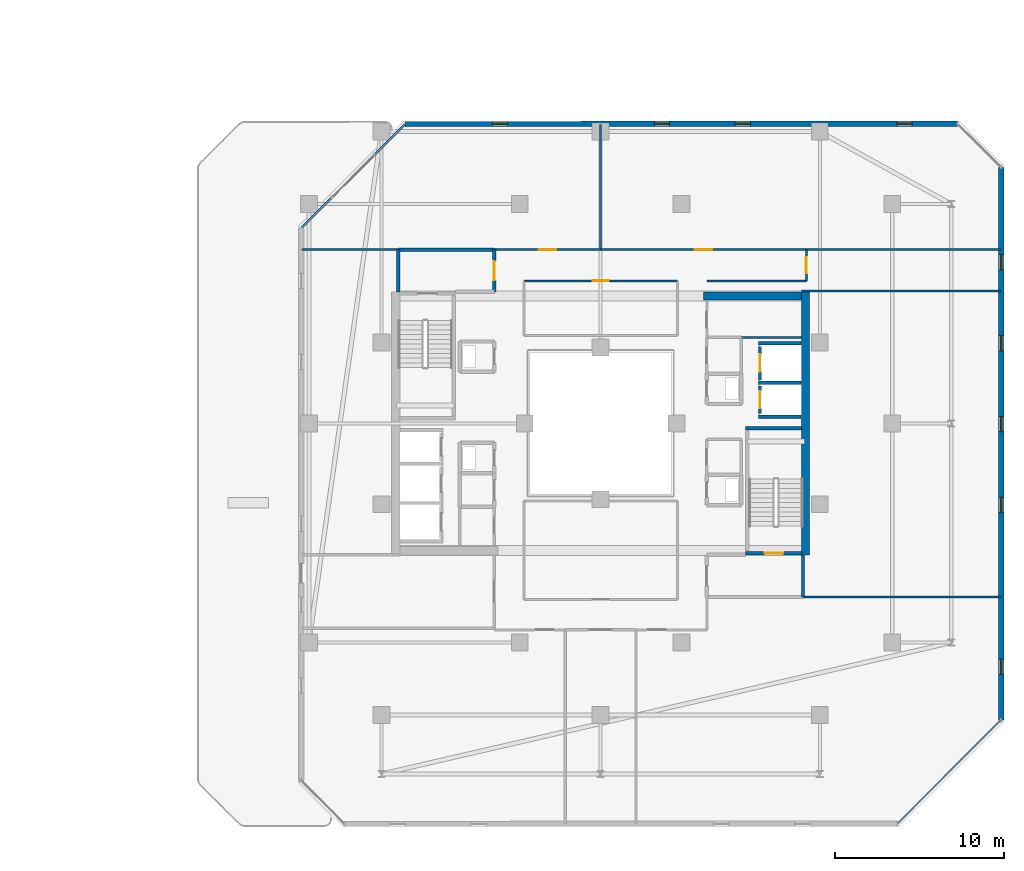
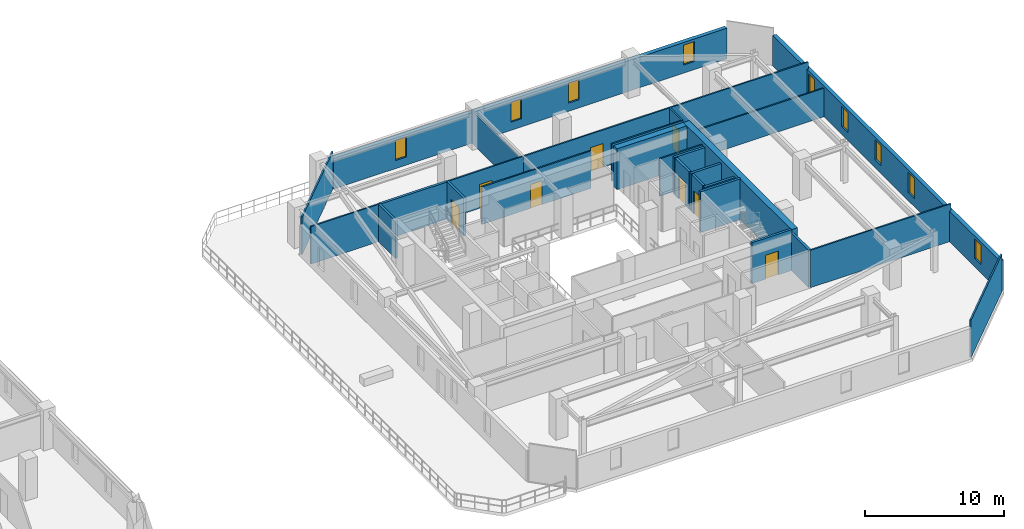
# One storey, part 23 of 29: 28 walls, 9 windows, 8 doors, 17 openings.
"""IFC4 building model written with IfcOpenShell, lengths in metres."""

from ifc_helpers import new_model, si_unit, direction, frame, frame_2d, origin, place, context, subcontext, project, spatial, rectangle, extrude, material, layer, layer_set, type_object, element, fill, save


model = new_model("IFC4")

# Units and contexts
model_context = context("Model", 3, precision=1e-05, world=origin(), true_north=direction((0.0, 1.0)))
body_context = subcontext(model_context, "Body", "Model", "MODEL_VIEW")
ifc_project = project(units=[si_unit("LENGTHUNIT", "METRE"), si_unit("AREAUNIT", "SQUARE_METRE"), si_unit("VOLUMEUNIT", "CUBIC_METRE"), si_unit("PLANEANGLEUNIT", "RADIAN"), si_unit("MASSUNIT", "GRAM", prefix="KILO")], contexts=[model_context])

# Site, building, storey
site_placement = place(None, origin())
site = spatial("IfcSite", under=ifc_project, at=site_placement, CompositionType="ELEMENT")
building_placement = place(site_placement, origin())
building = spatial("IfcBuilding", under=site, at=building_placement, Name="Thornwick Lancets Civic Towers", CompositionType="ELEMENT")
storey_placement = place(building_placement, frame((0.0, 0.0, 229.5)))
storey = spatial("IfcBuildingStorey", under=building, at=storey_placement, Name="L61", CompositionType="ELEMENT", Elevation=229.5)

# Wall, opening, door
ifc_material_1 = material(Name="Concrete blockwork C40/50", Category="masonry")
ifc_layer_1 = layer(ifc_material_1, 0.199951171875, Name="Concrete blockwork C40/50")
ifc_layer_set_1 = layer_set([ifc_layer_1], Name="Concrete blockwork C40/50")
wall_type_1 = type_object("IfcWallType", Name="WALL_COMP_200", PredefinedType="STANDARD", material=ifc_layer_set_1)
wall_1_placement = place(storey_placement, frame((97.949951171875, 29.219970703125, 0.0), z_axis=(0.0, 0.0, 1.0), x_axis=(0.0, -1.0, 0.0)))
wall_1 = element("IfcWall", 1, at=wall_1_placement, inside=storey, type_object=wall_type_1, Name="L61 Hoistway Front Wall FL-B1", PredefinedType="STANDARD", context=body_context, shape_type="SweptSolid", body=[
    extrude(rectangle(XDim=1.639892578125, YDim=0.199951171875, at=frame_2d((0.81982421875, 0.0))), origin(), (0.0, 0.0, 1.0), 3.300048828125),
])
opening_1_placement = place(wall_1_placement, frame((0.31005859375, 0.0, 0.0)))
opening_1 = element("IfcOpeningElement", 2, at=opening_1_placement, cuts=wall_1, Name="Opening LD-FL-B1", PredefinedType="OPENING", context=body_context, shape_type="SweptSolid", body=[
    extrude(rectangle(XDim=1.02001953125, YDim=2.06005859375, at=frame_2d((0.510009765625, 1.030029296875))), frame((0.0, 0.10986328125, 0.0), z_axis=(0.0, -1.0, 0.0), x_axis=(1.0, 0.0, 0.0)), (0.0, 0.0, 1.0), 0.219970703125),
])
ifc_material_2 = material(Name="Brushed bronze stainless steel", Category="steel")
door_type_1 = type_object("IfcDoorType", Name="DOOR_LIFT_SLIDE", OperationType="SLIDING_TO_LEFT", PredefinedType="DOOR", material=ifc_material_2)
door_1_placement = place(opening_1_placement, origin())
door_1 = element("IfcDoor", 3, at=door_1_placement, inside=storey, type_object=door_type_1, Name="L61 Sliding Lift Landing Door LD-FL-B1", OperationType="SLIDING_TO_LEFT", OverallHeight=2.06005859375, OverallWidth=1.02001953125, PredefinedType="DOOR", context=body_context, shape_type="SweptSolid", body=[
    extrude(rectangle(XDim=1.02001953125, YDim=2.06005859375, at=frame_2d((0.510009765625, 1.030029296875))), frame((0.0, 0.02490234375, 0.0), z_axis=(0.0, -1.0, 0.0), x_axis=(1.0, 0.0, 0.0)), (0.0, 0.0, 1.0), 0.050048828125),
])
fill(opening_1, door_1)

wall_2_placement = place(storey_placement, frame((97.949951171875, 31.570068359375, 0.0), z_axis=(0.0, 0.0, 1.0), x_axis=(0.0, -1.0, 0.0)))
wall_2 = element("IfcWall", 4, at=wall_2_placement, inside=storey, type_object=wall_type_1, Name="L61 Hoistway Front Wall PL-BH1", PredefinedType="STANDARD", context=body_context, shape_type="SweptSolid", body=[
    extrude(rectangle(XDim=1.989990234375, YDim=0.199951171875, at=frame_2d((0.9951171875, 0.0))), origin(), (0.0, 0.0, 1.0), 3.300048828125),
])
opening_2_placement = place(wall_2_placement, frame((0.485107421875, 0.0, 0.0)))
opening_2 = element("IfcOpeningElement", 5, at=opening_2_placement, cuts=wall_2, Name="Opening LD-PL-BH1", PredefinedType="OPENING", context=body_context, shape_type="SweptSolid", body=[
    extrude(rectangle(XDim=1.02001953125, YDim=2.06005859375, at=frame_2d((0.510009765625, 1.030029296875))), frame((0.0, 0.10986328125, 0.0), z_axis=(0.0, -1.0, 0.0), x_axis=(1.0, 0.0, 0.0)), (0.0, 0.0, 1.0), 0.219970703125),
])
door_2_placement = place(opening_2_placement, origin())
door_2 = element("IfcDoor", 6, at=door_2_placement, inside=storey, type_object=door_type_1, Name="L61 Sliding Lift Landing Door LD-PL-BH1", OperationType="SLIDING_TO_LEFT", OverallHeight=2.06005859375, OverallWidth=1.02001953125, PredefinedType="DOOR", context=body_context, shape_type="SweptSolid", body=[
    extrude(rectangle(XDim=1.02001953125, YDim=2.06005859375, at=frame_2d((0.510009765625, 1.030029296875))), frame((0.0, 0.02490234375, 0.0), z_axis=(0.0, -1.0, 0.0), x_axis=(1.0, 0.0, 0.0)), (0.0, 0.0, 1.0), 0.050048828125),
])
fill(opening_2, door_2)

# Walls
for number, where, z_axis, x_axis, name in (
    (7, (97.85205078125, 29.39990234375, 0.0), (0.0, 0.0, 1.0), (1.0, 0.0, 0.0), "L61 Hoistway Shaft Wall FL-B1 N"),
    (8, (97.85205078125, 27.39990234375, 0.0), (0.0, 0.0, 1.0), (1.0, 0.0, 0.0), "L61 Hoistway Shaft Wall FL-B1 S"),
    (9, (97.85205078125, 31.75, 0.0), (0.0, 0.0, 1.0), (1.0, 0.0, 0.0), "L61 Hoistway Shaft Wall PL-BH1 N"),
):
    element("IfcWall", number, at=place(storey_placement, frame(where, z_axis=z_axis, x_axis=x_axis)), inside=storey, type_object=wall_type_1, Name=name, PredefinedType="STANDARD", context=body_context, shape_type="SweptSolid", body=[
        extrude(rectangle(XDim=2.535888671875, YDim=0.199951171875, at=frame_2d((1.26806640625, 0.0))), origin(), (0.0, 0.0, 1.0), 3.300048828125),
    ])
wall_3_placement = place(storey_placement, frame((100.5, 16.699951171875, 0.0), z_axis=(0.0, 0.0, 1.0), x_axis=(0.0, 1.0, 0.0)))
element("IfcWall", 10, at=wall_3_placement, inside=storey, type_object=wall_type_1, Name="L61 Partition L61-B-FFLOB1 E2", PredefinedType="STANDARD", context=body_context, shape_type="SweptSolid", body=[
    extrude(rectangle(XDim=2.5, YDim=0.199951171875, at=frame_2d((1.25, 0.0))), origin(), (0.0, 0.0, 1.0), 3.300048828125),
])

# Wall, opening, door
wall_4_placement = place(storey_placement, frame((82.199951171875, 34.800048828125, 0.0), z_axis=(0.0, 0.0, 1.0), x_axis=(0.0, 1.0, 0.0)))
wall_4 = element("IfcWall", 11, at=wall_4_placement, inside=storey, type_object=wall_type_1, Name="L61 Partition L61-B-FFLOB2 E2", PredefinedType="STANDARD", context=body_context, shape_type="SweptSolid", body=[
    extrude(rectangle(XDim=2.5, YDim=0.199951171875, at=frame_2d((1.25, 0.0))), origin(), (0.0, 0.0, 1.0), 3.300048828125),
])
opening_3_placement = place(wall_4_placement, frame((0.675048828125, 0.0, 0.0)))
opening_3 = element("IfcOpeningElement", 12, at=opening_3_placement, cuts=wall_4, Name="Opening D-L61-2749", PredefinedType="OPENING", context=body_context, shape_type="SweptSolid", body=[
    extrude(rectangle(XDim=1.14990234375, YDim=2.10009765625, at=frame_2d((0.574951171875, 1.050048828125))), frame((0.0, 0.10986328125, 0.0), z_axis=(0.0, -1.0, 0.0), x_axis=(1.0, 0.0, 0.0)), (0.0, 0.0, 1.0), 0.219970703125),
])
ifc_material_3 = material(Name="Glazed fire-resisting steel", Category="steel")
door_type_2 = type_object("IfcDoorType", Name="DOOR_LOBBY_FD60", OperationType="NOTDEFINED", PredefinedType="DOOR", material=ifc_material_3)
door_3_placement = place(opening_3_placement, origin())
door_3 = element("IfcDoor", 13, at=door_3_placement, inside=storey, type_object=door_type_2, Name="L61 West Firefighting Lobby 2 Door", OperationType="SINGLE_SWING_RIGHT", OverallHeight=2.10009765625, OverallWidth=1.14990234375, PredefinedType="DOOR", context=body_context, shape_type="SweptSolid", body=[
    extrude(rectangle(XDim=1.14990234375, YDim=2.10009765625, at=frame_2d((0.574951171875, 1.050048828125))), frame((0.0, 0.02490234375, 0.0), z_axis=(0.0, -1.0, 0.0), x_axis=(1.0, 0.0, 0.0)), (0.0, 0.0, 1.0), 0.050048828125),
])
fill(opening_3, door_3)

# Walls
wall_5_placement = place(storey_placement, frame((82.199951171875, 37.300048828125, 0.0), z_axis=(0.0, 0.0, 1.0), x_axis=(-1.0, 0.0, 0.0)))
element("IfcWall", 14, at=wall_5_placement, inside=storey, type_object=wall_type_1, Name="L61 Partition L61-B-FFLOB2 E3", PredefinedType="STANDARD", context=body_context, shape_type="SweptSolid", body=[
    extrude(rectangle(XDim=5.699951171875, YDim=0.199951171875, at=frame_2d((2.85009765625, 0.0))), origin(), (0.0, 0.0, 1.0), 3.300048828125),
])
wall_6_placement = place(storey_placement, frame((76.5, 37.300048828125, 0.0), z_axis=(0.0, 0.0, 1.0), x_axis=(0.0, -1.0, 0.0)))
element("IfcWall", 15, at=wall_6_placement, inside=storey, type_object=wall_type_1, Name="L61 Partition L61-B-FFLOB2 E4", PredefinedType="STANDARD", context=body_context, shape_type="SweptSolid", body=[
    extrude(rectangle(XDim=2.5, YDim=0.199951171875, at=frame_2d((1.25, 0.0))), origin(), (0.0, 0.0, 1.0), 3.300048828125),
])
ifc_material_4 = material(Name="Concrete C50/60", Category="concrete")
ifc_layer_2 = layer(ifc_material_4, 0.5, Name="Concrete C50/60")
ifc_layer_set_2 = layer_set([ifc_layer_2], Name="Concrete C50/60")
wall_type_2 = type_object("IfcWallType", Name="WALL_CORE_500", PredefinedType="SHEAR", material=ifc_layer_set_2)
wall_7_placement = place(storey_placement, frame((100.64990234375, 19.199951171875, 0.0), z_axis=(0.0, 0.0, 1.0), x_axis=(0.0, 1.0, 0.0)))
element("IfcWall", 16, at=wall_7_placement, inside=storey, type_object=wall_type_2, Name="L61 Split Core B1 Shear Wall E", PredefinedType="SHEAR", context=body_context, shape_type="SweptSolid", body=[
    extrude(rectangle(XDim=15.60009765625, YDim=0.5, at=frame_2d((7.800048828125, 0.0))), origin(), (0.0, 0.0, 1.0), 3.60009765625),
])
wall_8_placement = place(storey_placement, frame((94.60009765625, 34.550048828125, 0.0), z_axis=(0.0, 0.0, 1.0), x_axis=(1.0, 0.0, 0.0)))
element("IfcWall", 17, at=wall_8_placement, inside=storey, type_object=wall_type_2, Name="L61 Split Core B1 Shear Wall N", PredefinedType="SHEAR", context=body_context, shape_type="SweptSolid", body=[
    extrude(rectangle(XDim=5.7998046875, YDim=0.5, at=frame_2d((2.89990234375, 0.0))), origin(), (0.0, 0.0, 1.0), 3.60009765625),
])

# Wall, openings, windows
ifc_material_5 = material(Name="Insulated buff terracotta rainscreen on concrete C40/50", Category="masonry")
ifc_layer_3 = layer(ifc_material_5, 0.320068359375, Name="Insulated buff terracotta rainscreen on concrete C40/50")
ifc_layer_set_3 = layer_set([ifc_layer_3], Name="Insulated buff terracotta rainscreen on concrete C40/50")
wall_type_3 = type_object("IfcWallType", Name="WALL_EXT_TERRA_320", PredefinedType="STANDARD", material=ifc_layer_set_3)
wall_9_placement = place(storey_placement, frame((112.252685546875, 9.403564453125, 0.0), z_axis=(0.0, 0.0, 1.0), x_axis=(0.000364968916, 0.999999933399, 0.0)))
wall_9 = element("IfcWall", 18, at=wall_9_placement, inside=storey, type_object=wall_type_3, Name="L61 Tower B Terracotta Facade Wall E2", PredefinedType="STANDARD", context=body_context, shape_type="SweptSolid", body=[
    extrude(rectangle(XDim=32.77783203125, YDim=0.320068359375, at=frame_2d((16.388916015625, 0.0))), origin(), (0.0, 0.0, 1.0), 2.699951171875),
])
opening_4_placement = place(wall_9_placement, frame((2.699951171875, 0.0, 0.719970703125)))
opening_4 = element("IfcOpeningElement", 19, at=opening_4_placement, cuts=wall_9, Name="Opening WL-01", PredefinedType="OPENING", context=body_context, shape_type="SweptSolid", body=[
    extrude(rectangle(XDim=0.89990234375, YDim=1.75, at=frame_2d((0.449951171875, 0.875))), frame((0.0, 0.169921875, 0.0), z_axis=(0.0, -1.0, 0.0), x_axis=(1.0, 0.0, 0.0)), (0.0, 0.0, 1.0), 0.340087890625),
])
opening_5_placement = place(wall_9_placement, frame((12.300048828125, 0.0, 0.719970703125)))
opening_5 = element("IfcOpeningElement", 20, at=opening_5_placement, cuts=wall_9, Name="Opening WL-01", PredefinedType="OPENING", context=body_context, shape_type="SweptSolid", body=[
    extrude(rectangle(XDim=0.89990234375, YDim=1.75, at=frame_2d((0.449951171875, 0.875))), frame((0.0, 0.169921875, 0.0), z_axis=(0.0, -1.0, 0.0), x_axis=(1.0, 0.0, 0.0)), (0.0, 0.0, 1.0), 0.340087890625),
])
opening_6_placement = place(wall_9_placement, frame((17.10009765625, 0.0, 0.719970703125)))
opening_6 = element("IfcOpeningElement", 21, at=opening_6_placement, cuts=wall_9, Name="Opening WL-01", PredefinedType="OPENING", context=body_context, shape_type="SweptSolid", body=[
    extrude(rectangle(XDim=0.89990234375, YDim=1.75, at=frame_2d((0.449951171875, 0.875))), frame((0.0, 0.169921875, 0.0), z_axis=(0.0, -1.0, 0.0), x_axis=(1.0, 0.0, 0.0)), (0.0, 0.0, 1.0), 0.340087890625),
])
opening_7_placement = place(wall_9_placement, frame((21.89990234375, 0.0, 0.719970703125)))
opening_7 = element("IfcOpeningElement", 22, at=opening_7_placement, cuts=wall_9, Name="Opening WL-01", PredefinedType="OPENING", context=body_context, shape_type="SweptSolid", body=[
    extrude(rectangle(XDim=0.89990234375, YDim=1.75, at=frame_2d((0.449951171875, 0.875))), frame((0.0, 0.169921875, 0.0), z_axis=(0.0, -1.0, 0.0), x_axis=(1.0, 0.0, 0.0)), (0.0, 0.0, 1.0), 0.340087890625),
])
opening_8_placement = place(wall_9_placement, frame((26.699951171875, 0.0, 0.719970703125)))
opening_8 = element("IfcOpeningElement", 23, at=opening_8_placement, cuts=wall_9, Name="Opening WL-01", PredefinedType="OPENING", context=body_context, shape_type="SweptSolid", body=[
    extrude(rectangle(XDim=0.89990234375, YDim=1.75, at=frame_2d((0.449951171875, 0.875))), frame((0.0, 0.169921875, 0.0), z_axis=(0.0, -1.0, 0.0), x_axis=(1.0, 0.0, 0.0)), (0.0, 0.0, 1.0), 0.340087890625),
])
ifc_material_6 = material(Name="Clear low-e double glazing in bronze frame", Category="glass")
window_type = type_object("IfcWindowType", Name="WIN_LANCET_900", PartitioningType="SINGLE_PANEL", PredefinedType="WINDOW", material=ifc_material_6)
window_1_placement = place(opening_4_placement, origin())
window_1 = element("IfcWindow", 24, at=window_1_placement, inside=storey, type_object=window_type, Name="L61 Tower B Staggered Lancet Window E2-1", OverallHeight=1.75, OverallWidth=0.89990234375, PartitioningType="SINGLE_PANEL", PredefinedType="WINDOW", context=body_context, shape_type="SweptSolid", body=[
    extrude(rectangle(XDim=0.89990234375, YDim=1.75, at=frame_2d((0.449951171875, 0.875))), frame((0.0, 0.030029296875, 0.0), z_axis=(0.0, -1.0, 0.0), x_axis=(1.0, 0.0, 0.0)), (0.0, 0.0, 1.0), 0.06005859375),
])
fill(opening_4, window_1)
window_2_placement = place(opening_5_placement, origin())
window_2 = element("IfcWindow", 25, at=window_2_placement, inside=storey, type_object=window_type, Name="L61 Tower B Staggered Lancet Window E2-2", OverallHeight=1.75, OverallWidth=0.89990234375, PartitioningType="SINGLE_PANEL", PredefinedType="WINDOW", context=body_context, shape_type="SweptSolid", body=[
    extrude(rectangle(XDim=0.89990234375, YDim=1.75, at=frame_2d((0.449951171875, 0.875))), frame((0.0, 0.030029296875, 0.0), z_axis=(0.0, -1.0, 0.0), x_axis=(1.0, 0.0, 0.0)), (0.0, 0.0, 1.0), 0.06005859375),
])
fill(opening_5, window_2)
window_3_placement = place(opening_6_placement, origin())
window_3 = element("IfcWindow", 26, at=window_3_placement, inside=storey, type_object=window_type, Name="L61 Tower B Staggered Lancet Window E2-3", OverallHeight=1.75, OverallWidth=0.89990234375, PartitioningType="SINGLE_PANEL", PredefinedType="WINDOW", context=body_context, shape_type="SweptSolid", body=[
    extrude(rectangle(XDim=0.89990234375, YDim=1.75, at=frame_2d((0.449951171875, 0.875))), frame((0.0, 0.030029296875, 0.0), z_axis=(0.0, -1.0, 0.0), x_axis=(1.0, 0.0, 0.0)), (0.0, 0.0, 1.0), 0.06005859375),
])
fill(opening_6, window_3)
window_4_placement = place(opening_7_placement, origin())
window_4 = element("IfcWindow", 27, at=window_4_placement, inside=storey, type_object=window_type, Name="L61 Tower B Staggered Lancet Window E2-4", OverallHeight=1.75, OverallWidth=0.89990234375, PartitioningType="SINGLE_PANEL", PredefinedType="WINDOW", context=body_context, shape_type="SweptSolid", body=[
    extrude(rectangle(XDim=0.89990234375, YDim=1.75, at=frame_2d((0.449951171875, 0.875))), frame((0.0, 0.030029296875, 0.0), z_axis=(0.0, -1.0, 0.0), x_axis=(1.0, 0.0, 0.0)), (0.0, 0.0, 1.0), 0.06005859375),
])
fill(opening_7, window_4)
window_5_placement = place(opening_8_placement, origin())
window_5 = element("IfcWindow", 28, at=window_5_placement, inside=storey, type_object=window_type, Name="L61 Tower B Staggered Lancet Window E2-5", OverallHeight=1.75, OverallWidth=0.89990234375, PartitioningType="SINGLE_PANEL", PredefinedType="WINDOW", context=body_context, shape_type="SweptSolid", body=[
    extrude(rectangle(XDim=0.89990234375, YDim=1.75, at=frame_2d((0.449951171875, 0.875))), frame((0.0, 0.030029296875, 0.0), z_axis=(0.0, -1.0, 0.0), x_axis=(1.0, 0.0, 0.0)), (0.0, 0.0, 1.0), 0.06005859375),
])
fill(opening_8, window_5)

wall_10_placement = place(storey_placement, frame((109.681396484375, 44.7646484375, 0.0), z_axis=(0.0, 0.0, 1.0), x_axis=(-0.999999933399, -0.000364968916, 0.0)))
wall_10 = element("IfcWall", 29, at=wall_10_placement, inside=storey, type_object=wall_type_3, Name="L61 Tower B Terracotta Facade Wall E4", PredefinedType="STANDARD", context=body_context, shape_type="SweptSolid", body=[
    extrude(rectangle(XDim=32.77783203125, YDim=0.320068359375, at=frame_2d((16.388916015625, 0.0))), origin(), (0.0, 0.0, 1.0), 2.699951171875),
])
opening_9_placement = place(wall_10_placement, frame((2.699951171875, 0.0, 0.719970703125)))
opening_9 = element("IfcOpeningElement", 30, at=opening_9_placement, cuts=wall_10, Name="Opening WL-01", PredefinedType="OPENING", context=body_context, shape_type="SweptSolid", body=[
    extrude(rectangle(XDim=0.89990234375, YDim=1.75, at=frame_2d((0.449951171875, 0.875))), frame((0.0, 0.169921875, 0.0), z_axis=(0.0, -1.0, 0.0), x_axis=(1.0, 0.0, 0.0)), (0.0, 0.0, 1.0), 0.340087890625),
])
opening_10_placement = place(wall_10_placement, frame((12.300048828125, 0.0, 0.719970703125)))
opening_10 = element("IfcOpeningElement", 31, at=opening_10_placement, cuts=wall_10, Name="Opening WL-01", PredefinedType="OPENING", context=body_context, shape_type="SweptSolid", body=[
    extrude(rectangle(XDim=0.89990234375, YDim=1.75, at=frame_2d((0.449951171875, 0.875))), frame((0.0, 0.169921875, 0.0), z_axis=(0.0, -1.0, 0.0), x_axis=(1.0, 0.0, 0.0)), (0.0, 0.0, 1.0), 0.340087890625),
])
opening_11_placement = place(wall_10_placement, frame((17.10009765625, 0.0, 0.719970703125)))
opening_11 = element("IfcOpeningElement", 32, at=opening_11_placement, cuts=wall_10, Name="Opening WL-01", PredefinedType="OPENING", context=body_context, shape_type="SweptSolid", body=[
    extrude(rectangle(XDim=0.89990234375, YDim=1.75, at=frame_2d((0.449951171875, 0.875))), frame((0.0, 0.169921875, 0.0), z_axis=(0.0, -1.0, 0.0), x_axis=(1.0, 0.0, 0.0)), (0.0, 0.0, 1.0), 0.340087890625),
])
opening_12_placement = place(wall_10_placement, frame((26.699951171875, 0.0, 0.719970703125)))
opening_12 = element("IfcOpeningElement", 33, at=opening_12_placement, cuts=wall_10, Name="Opening WL-01", PredefinedType="OPENING", context=body_context, shape_type="SweptSolid", body=[
    extrude(rectangle(XDim=0.89990234375, YDim=1.75, at=frame_2d((0.449951171875, 0.875))), frame((0.0, 0.169921875, 0.0), z_axis=(0.0, -1.0, 0.0), x_axis=(1.0, 0.0, 0.0)), (0.0, 0.0, 1.0), 0.340087890625),
])
window_6_placement = place(opening_9_placement, origin())
window_6 = element("IfcWindow", 34, at=window_6_placement, inside=storey, type_object=window_type, Name="L61 Tower B Staggered Lancet Window E4-1", OverallHeight=1.75, OverallWidth=0.89990234375, PartitioningType="SINGLE_PANEL", PredefinedType="WINDOW", context=body_context, shape_type="SweptSolid", body=[
    extrude(rectangle(XDim=0.89990234375, YDim=1.75, at=frame_2d((0.449951171875, 0.875))), frame((0.0, 0.030029296875, 0.0), z_axis=(0.0, -1.0, 0.0), x_axis=(1.0, 0.0, 0.0)), (0.0, 0.0, 1.0), 0.06005859375),
])
fill(opening_9, window_6)
window_7_placement = place(opening_10_placement, origin())
window_7 = element("IfcWindow", 35, at=window_7_placement, inside=storey, type_object=window_type, Name="L61 Tower B Staggered Lancet Window E4-2", OverallHeight=1.75, OverallWidth=0.89990234375, PartitioningType="SINGLE_PANEL", PredefinedType="WINDOW", context=body_context, shape_type="SweptSolid", body=[
    extrude(rectangle(XDim=0.89990234375, YDim=1.75, at=frame_2d((0.449951171875, 0.875))), frame((0.0, 0.030029296875, 0.0), z_axis=(0.0, -1.0, 0.0), x_axis=(1.0, 0.0, 0.0)), (0.0, 0.0, 1.0), 0.06005859375),
])
fill(opening_10, window_7)
window_8_placement = place(opening_11_placement, origin())
window_8 = element("IfcWindow", 36, at=window_8_placement, inside=storey, type_object=window_type, Name="L61 Tower B Staggered Lancet Window E4-3", OverallHeight=1.75, OverallWidth=0.89990234375, PartitioningType="SINGLE_PANEL", PredefinedType="WINDOW", context=body_context, shape_type="SweptSolid", body=[
    extrude(rectangle(XDim=0.89990234375, YDim=1.75, at=frame_2d((0.449951171875, 0.875))), frame((0.0, 0.030029296875, 0.0), z_axis=(0.0, -1.0, 0.0), x_axis=(1.0, 0.0, 0.0)), (0.0, 0.0, 1.0), 0.06005859375),
])
fill(opening_11, window_8)
window_9_placement = place(opening_12_placement, origin())
window_9 = element("IfcWindow", 37, at=window_9_placement, inside=storey, type_object=window_type, Name="L61 Tower B Staggered Lancet Window E4-4", OverallHeight=1.75, OverallWidth=0.89990234375, PartitioningType="SINGLE_PANEL", PredefinedType="WINDOW", context=body_context, shape_type="SweptSolid", body=[
    extrude(rectangle(XDim=0.89990234375, YDim=1.75, at=frame_2d((0.449951171875, 0.875))), frame((0.0, 0.030029296875, 0.0), z_axis=(0.0, -1.0, 0.0), x_axis=(1.0, 0.0, 0.0)), (0.0, 0.0, 1.0), 0.06005859375),
])
fill(opening_12, window_9)

# Walls
ifc_material_7 = material(Name="Acoustic gypsum board partition")
ifc_layer_4 = layer(ifc_material_7, 0.1201171875, Name="Acoustic gypsum board partition")
ifc_layer_set_4 = layer_set([ifc_layer_4], Name="Acoustic gypsum board partition")
wall_type_4 = type_object("IfcWallType", Name="WALL_PART_120", PredefinedType="PARTITIONING", material=ifc_layer_set_4)
wall_11_placement = place(storey_placement, frame((100.39990234375, 32.10009765625, 0.0), z_axis=(0.0, 0.0, 1.0), x_axis=(-1.0, 0.0, 0.0)))
element("IfcWall", 38, at=wall_11_placement, inside=storey, type_object=wall_type_4, Name="L61 Partition L61-B-ITR E4", PredefinedType="PARTITIONING", context=body_context, shape_type="SweptSolid", body=[
    extrude(rectangle(XDim=3.5498046875, YDim=0.1201171875, at=frame_2d((1.77490234375, 0.0))), origin(), (0.0, 0.0, 1.0), 3.300048828125),
])
wall_12_placement = place(storey_placement, frame((94.800048828125, 35.449951171875, 0.0), z_axis=(0.0, 0.0, 1.0), x_axis=(1.0, 0.0, 0.0)))
element("IfcWall", 39, at=wall_12_placement, inside=storey, type_object=wall_type_4, Name="L61 Partition L61-B-RECLAIM-L E2", PredefinedType="PARTITIONING", context=body_context, shape_type="SweptSolid", body=[
    extrude(rectangle(XDim=5.89990234375, YDim=0.1201171875, at=frame_2d((2.949951171875, 0.0))), origin(), (0.0, 0.0, 1.0), 3.300048828125),
])

# Wall, opening, door
wall_13_placement = place(storey_placement, frame((100.699951171875, 35.449951171875, 0.0), z_axis=(0.0, 0.0, 1.0), x_axis=(0.0, 1.0, 0.0)))
wall_13 = element("IfcWall", 40, at=wall_13_placement, inside=storey, type_object=wall_type_4, Name="L61 Partition L61-B-RECLAIM-L E3", PredefinedType="PARTITIONING", context=body_context, shape_type="SweptSolid", body=[
    extrude(rectangle(XDim=1.85009765625, YDim=0.1201171875, at=frame_2d((0.925048828125, 0.0))), origin(), (0.0, 0.0, 1.0), 3.300048828125),
])
opening_13_placement = place(wall_13_placement, frame((0.449951171875, 0.0, 0.0)))
opening_13 = element("IfcOpeningElement", 41, at=opening_13_placement, cuts=wall_13, Name="Opening D-L61-2768", PredefinedType="OPENING", context=body_context, shape_type="SweptSolid", body=[
    extrude(rectangle(XDim=0.949951171875, YDim=2.10009765625, at=frame_2d((0.47509765625, 1.050048828125))), frame((0.0, 0.070068359375, 0.0), z_axis=(0.0, -1.0, 0.0), x_axis=(1.0, 0.0, 0.0)), (0.0, 0.0, 1.0), 0.14013671875),
])
ifc_material_8 = material(Name="European oak acoustic doorset")
door_type_3 = type_object("IfcDoorType", Name="DOOR_OFFICE_950", OperationType="NOTDEFINED", PredefinedType="DOOR", material=ifc_material_8)
door_4_placement = place(opening_13_placement, origin())
door_4 = element("IfcDoor", 42, at=door_4_placement, inside=storey, type_object=door_type_3, Name="L61 Tower B Parliamentary Drafting Library Door", OperationType="SINGLE_SWING_LEFT", OverallHeight=2.10009765625, OverallWidth=0.949951171875, PredefinedType="DOOR", context=body_context, shape_type="SweptSolid", body=[
    extrude(rectangle(XDim=0.949951171875, YDim=2.10009765625, at=frame_2d((0.47509765625, 1.050048828125))), frame((0.0, 0.02490234375, 0.0), z_axis=(0.0, -1.0, 0.0), x_axis=(1.0, 0.0, 0.0)), (0.0, 0.0, 1.0), 0.050048828125),
])
fill(opening_13, door_4)

# Walls
wall_14_placement = place(storey_placement, frame((100.699951171875, 37.300048828125, 0.0), z_axis=(0.0, 0.0, 1.0), x_axis=(1.0, 0.0, 0.0)))
element("IfcWall", 43, at=wall_14_placement, inside=storey, type_object=wall_type_4, Name="L61 Partition L61-B-RECLAIM-L E4", PredefinedType="PARTITIONING", context=body_context, shape_type="SweptSolid", body=[
    extrude(rectangle(XDim=11.52001953125, YDim=0.1201171875, at=frame_2d((5.760009765625, 0.0))), origin(), (0.0, 0.0, 1.0), 3.300048828125),
])
wall_15_placement = place(storey_placement, frame((112.219970703125, 34.85009765625, 0.0), z_axis=(0.0, 0.0, 1.0), x_axis=(-1.0, 0.0, 0.0)))
element("IfcWall", 44, at=wall_15_placement, inside=storey, type_object=wall_type_4, Name="L61 Partition L61-B-RECLAIM-L E6", PredefinedType="PARTITIONING", context=body_context, shape_type="SweptSolid", body=[
    extrude(rectangle(XDim=11.820068359375, YDim=0.1201171875, at=frame_2d((5.91015625, 0.0))), origin(), (0.0, 0.0, 1.0), 2.5048828125),
])
wall_16_placement = place(storey_placement, frame((100.5, 16.699951171875, 0.0), z_axis=(0.0, 0.0, 1.0), x_axis=(1.0, 0.0, 0.0)))
element("IfcWall", 45, at=wall_16_placement, inside=storey, type_object=wall_type_4, Name="L61 Partition L61-B-W1 E7", PredefinedType="PARTITIONING", context=body_context, shape_type="SweptSolid", body=[
    extrude(rectangle(XDim=11.719970703125, YDim=0.1201171875, at=frame_2d((5.85986328125, 0.0))), origin(), (0.0, 0.0, 1.0), 3.300048828125),
])
wall_17_placement = place(storey_placement, frame((112.219970703125, 9.37451171875, 0.0), z_axis=(0.0, 0.0, 1.0), x_axis=(-0.707106781187, -0.707106781187, 0.0)))
element("IfcWall", 46, at=wall_17_placement, inside=storey, type_object=wall_type_4, Name="L61 Partition L61-B-W1 E9", PredefinedType="PARTITIONING", context=body_context, shape_type="SweptSolid", body=[
    extrude(rectangle(XDim=8.618896484375, YDim=0.1201171875, at=frame_2d((4.3095703125, 0.0))), origin(), (0.0, 0.0, 1.0), 3.300048828125),
])

# Wall, opening, door
wall_18_placement = place(storey_placement, frame((100.699951171875, 37.300048828125, 0.0), z_axis=(0.0, 0.0, 1.0), x_axis=(-1.0, 0.0, 0.0)))
wall_18 = element("IfcWall", 47, at=wall_18_placement, inside=storey, type_object=wall_type_4, Name="L61 Partition L61-B-E1 E1", PredefinedType="PARTITIONING", context=body_context, shape_type="SweptSolid", body=[
    extrude(rectangle(XDim=12.199951171875, YDim=0.1201171875, at=frame_2d((6.10009765625, 0.0))), origin(), (0.0, 0.0, 1.0), 3.300048828125),
])
opening_14_placement = place(wall_18_placement, frame((5.574951171875, 0.0, 0.0)))
opening_14 = element("IfcOpeningElement", 48, at=opening_14_placement, cuts=wall_18, Name="Opening D-L61-2774", PredefinedType="OPENING", context=body_context, shape_type="SweptSolid", body=[
    extrude(rectangle(XDim=1.050048828125, YDim=2.10009765625, at=frame_2d((0.52490234375, 1.050048828125))), frame((0.0, 0.070068359375, 0.0), z_axis=(0.0, -1.0, 0.0), x_axis=(1.0, 0.0, 0.0)), (0.0, 0.0, 1.0), 0.14013671875),
])
ifc_material_9 = material(Name="Glazed European oak executive doorset")
door_type_4 = type_object("IfcDoorType", Name="DOOR_OFFICE_1050", OperationType="NOTDEFINED", PredefinedType="DOOR", material=ifc_material_9)
door_5_placement = place(opening_14_placement, origin())
door_5 = element("IfcDoor", 49, at=door_5_placement, inside=storey, type_object=door_type_4, Name="L61 Tower B Secretariat Open Office E1 Door", OperationType="SINGLE_SWING_LEFT", OverallHeight=2.10009765625, OverallWidth=1.050048828125, PredefinedType="DOOR", context=body_context, shape_type="SweptSolid", body=[
    extrude(rectangle(XDim=1.050048828125, YDim=2.10009765625, at=frame_2d((0.52490234375, 1.050048828125))), frame((0.0, 0.02490234375, 0.0), z_axis=(0.0, -1.0, 0.0), x_axis=(1.0, 0.0, 0.0)), (0.0, 0.0, 1.0), 0.050048828125),
])
fill(opening_14, door_5)

# Walls
wall_19_placement = place(storey_placement, frame((88.5, 37.300048828125, 0.0), z_axis=(0.0, 0.0, 1.0), x_axis=(0.0, 1.0, 0.0)))
element("IfcWall", 50, at=wall_19_placement, inside=storey, type_object=wall_type_4, Name="L61 Partition L61-B-E1 E2", PredefinedType="PARTITIONING", context=body_context, shape_type="SweptSolid", body=[
    extrude(rectangle(XDim=7.419921875, YDim=0.1201171875, at=frame_2d((3.7099609375, 0.0))), origin(), (0.0, 0.0, 1.0), 2.89208984375),
])
wall_20_placement = place(storey_placement, frame((76.5, 37.300048828125, 0.0), z_axis=(0.0, 0.0, 1.0), x_axis=(-1.0, 0.0, 0.0)))
element("IfcWall", 51, at=wall_20_placement, inside=storey, type_object=wall_type_4, Name="L61 Partition L61-B-E2 E2", PredefinedType="PARTITIONING", context=body_context, shape_type="SweptSolid", body=[
    extrude(rectangle(XDim=5.719970703125, YDim=0.1201171875, at=frame_2d((2.85986328125, 0.0))), origin(), (0.0, 0.0, 1.0), 3.300048828125),
])
wall_21_placement = place(storey_placement, frame((70.780029296875, 38.62548828125, 0.0), z_axis=(0.0, 0.0, 1.0), x_axis=(0.707106781187, 0.707106781187, 0.0)))
element("IfcWall", 52, at=wall_21_placement, inside=storey, type_object=wall_type_4, Name="L61 Partition L61-B-E2 E4", PredefinedType="PARTITIONING", context=body_context, shape_type="SweptSolid", body=[
    extrude(rectangle(XDim=8.618896484375, YDim=0.1201171875, at=frame_2d((4.3095703125, 0.0))), origin(), (0.0, 0.0, 1.0), 3.300048828125),
])

# Wall, opening, door
wall_22_placement = place(storey_placement, frame((88.5, 37.300048828125, 0.0), z_axis=(0.0, 0.0, 1.0), x_axis=(-1.0, 0.0, 0.0)))
wall_22 = element("IfcWall", 53, at=wall_22_placement, inside=storey, type_object=wall_type_4, Name="L61 Partition L61-B-E2 E7", PredefinedType="PARTITIONING", context=body_context, shape_type="SweptSolid", body=[
    extrude(rectangle(XDim=6.300048828125, YDim=0.1201171875, at=frame_2d((3.14990234375, 0.0))), origin(), (0.0, 0.0, 1.0), 3.300048828125),
])
opening_15_placement = place(wall_22_placement, frame((2.625, 0.0, 0.0)))
opening_15 = element("IfcOpeningElement", 54, at=opening_15_placement, cuts=wall_22, Name="Opening D-L61-2775", PredefinedType="OPENING", context=body_context, shape_type="SweptSolid", body=[
    extrude(rectangle(XDim=1.050048828125, YDim=2.10009765625, at=frame_2d((0.52490234375, 1.050048828125))), frame((0.0, 0.070068359375, 0.0), z_axis=(0.0, -1.0, 0.0), x_axis=(1.0, 0.0, 0.0)), (0.0, 0.0, 1.0), 0.14013671875),
])
door_6_placement = place(opening_15_placement, origin())
door_6 = element("IfcDoor", 55, at=door_6_placement, inside=storey, type_object=door_type_4, Name="L61 Tower B Visitors Reception and Waiting Door", OperationType="SINGLE_SWING_RIGHT", OverallHeight=2.10009765625, OverallWidth=1.050048828125, PredefinedType="DOOR", context=body_context, shape_type="SweptSolid", body=[
    extrude(rectangle(XDim=1.050048828125, YDim=2.10009765625, at=frame_2d((0.52490234375, 1.050048828125))), frame((0.0, 0.02490234375, 0.0), z_axis=(0.0, -1.0, 0.0), x_axis=(1.0, 0.0, 0.0)), (0.0, 0.0, 1.0), 0.050048828125),
])
fill(opening_15, door_6)

wall_23_placement = place(storey_placement, frame((83.949951171875, 35.449951171875, 0.0), z_axis=(0.0, 0.0, 1.0), x_axis=(1.0, 0.0, 0.0)))
wall_23 = element("IfcWall", 56, at=wall_23_placement, inside=storey, type_object=wall_type_4, Name="L61 Partition L61-B-E-ATRIUM-OFF E2", PredefinedType="PARTITIONING", context=body_context, shape_type="SweptSolid", body=[
    extrude(rectangle(XDim=9.10009765625, YDim=0.1201171875, at=frame_2d((4.550048828125, 0.0))), origin(), (0.0, 0.0, 1.0), 3.300048828125),
])
opening_16_placement = place(wall_23_placement, frame((4.074951171875, 0.0, 0.0)))
opening_16 = element("IfcOpeningElement", 57, at=opening_16_placement, cuts=wall_23, Name="Opening D-L61-2776", PredefinedType="OPENING", context=body_context, shape_type="SweptSolid", body=[
    extrude(rectangle(XDim=0.949951171875, YDim=2.10009765625, at=frame_2d((0.47509765625, 1.050048828125))), frame((0.0, 0.070068359375, 0.0), z_axis=(0.0, -1.0, 0.0), x_axis=(1.0, 0.0, 0.0)), (0.0, 0.0, 1.0), 0.14013671875),
])
door_7_placement = place(opening_16_placement, origin())
door_7 = element("IfcDoor", 58, at=door_7_placement, inside=storey, type_object=door_type_3, Name="L61 Tower B Atrium Policy Office Door", OperationType="SINGLE_SWING_LEFT", OverallHeight=2.10009765625, OverallWidth=0.949951171875, PredefinedType="DOOR", context=body_context, shape_type="SweptSolid", body=[
    extrude(rectangle(XDim=0.949951171875, YDim=2.10009765625, at=frame_2d((0.47509765625, 1.050048828125))), frame((0.0, 0.02490234375, 0.0), z_axis=(0.0, -1.0, 0.0), x_axis=(1.0, 0.0, 0.0)), (0.0, 0.0, 1.0), 0.050048828125),
])
fill(opening_16, door_7)

ifc_material_10 = material(Name="Concrete C40/50", Category="concrete")
ifc_layer_5 = layer(ifc_material_10, 0.199951171875, Name="Concrete C40/50")
ifc_layer_set_5 = layer_set([ifc_layer_5], Name="Concrete C40/50")
wall_type_5 = type_object("IfcWallType", Name="WALL_SHAFT_200", PredefinedType="SHEAR", material=ifc_layer_set_5)
wall_24_placement = place(storey_placement, frame((100.449951171875, 19.300048828125, 0.0), z_axis=(0.0, 0.0, 1.0), x_axis=(-1.0, 0.0, 0.0)))
wall_24 = element("IfcWall", 59, at=wall_24_placement, inside=storey, type_object=wall_type_5, Name="L61 ST-B1 Fire Stair Core Wall NEAR", PredefinedType="SHEAR", context=body_context, shape_type="SweptSolid", body=[
    extrude(rectangle(XDim=3.349853515625, YDim=0.199951171875, at=frame_2d((1.6748046875, 0.0))), origin(), (0.0, 0.0, 1.0), 3.60009765625),
])
opening_17_placement = place(wall_24_placement, frame((1.125, 0.0, 0.0)))
opening_17 = element("IfcOpeningElement", 60, at=opening_17_placement, cuts=wall_24, Name="Opening D-ST-B1-L61", PredefinedType="OPENING", context=body_context, shape_type="SweptSolid", body=[
    extrude(rectangle(XDim=1.10009765625, YDim=2.10009765625, at=frame_2d((0.550048828125, 1.050048828125))), frame((0.0, 0.10986328125, 0.0), z_axis=(0.0, -1.0, 0.0), x_axis=(1.0, 0.0, 0.0)), (0.0, 0.0, 1.0), 0.219970703125),
])
ifc_material_11 = material(Name="Fire-resisting steel and hardwood", Category="steel")
door_type_5 = type_object("IfcDoorType", Name="DOOR_STAIR_FD60", OperationType="NOTDEFINED", PredefinedType="DOOR", material=ifc_material_11)
door_8_placement = place(opening_17_placement, origin())
door_8 = element("IfcDoor", 61, at=door_8_placement, inside=storey, type_object=door_type_5, Name="L61 ST-B1 Exit Stair Door", OperationType="SINGLE_SWING_RIGHT", OverallHeight=2.10009765625, OverallWidth=1.10009765625, PredefinedType="DOOR", context=body_context, shape_type="SweptSolid", body=[
    extrude(rectangle(XDim=1.10009765625, YDim=2.10009765625, at=frame_2d((0.550048828125, 1.050048828125))), frame((0.0, 0.02490234375, 0.0), z_axis=(0.0, -1.0, 0.0), x_axis=(1.0, 0.0, 0.0)), (0.0, 0.0, 1.0), 0.050048828125),
])
fill(opening_17, door_8)

# Wall
wall_25_placement = place(storey_placement, frame((97.10009765625, 26.699951171875, 0.0), z_axis=(0.0, 0.0, 1.0), x_axis=(1.0, 0.0, 0.0)))
element("IfcWall", 62, at=wall_25_placement, inside=storey, type_object=wall_type_5, Name="L61 ST-B1 Fire Stair Core Wall FAR", PredefinedType="SHEAR", context=body_context, shape_type="SweptSolid", body=[
    extrude(rectangle(XDim=3.349853515625, YDim=0.199951171875, at=frame_2d((1.6748046875, 0.0))), origin(), (0.0, 0.0, 1.0), 3.60009765625),
])

save(model, "model.ifc")
